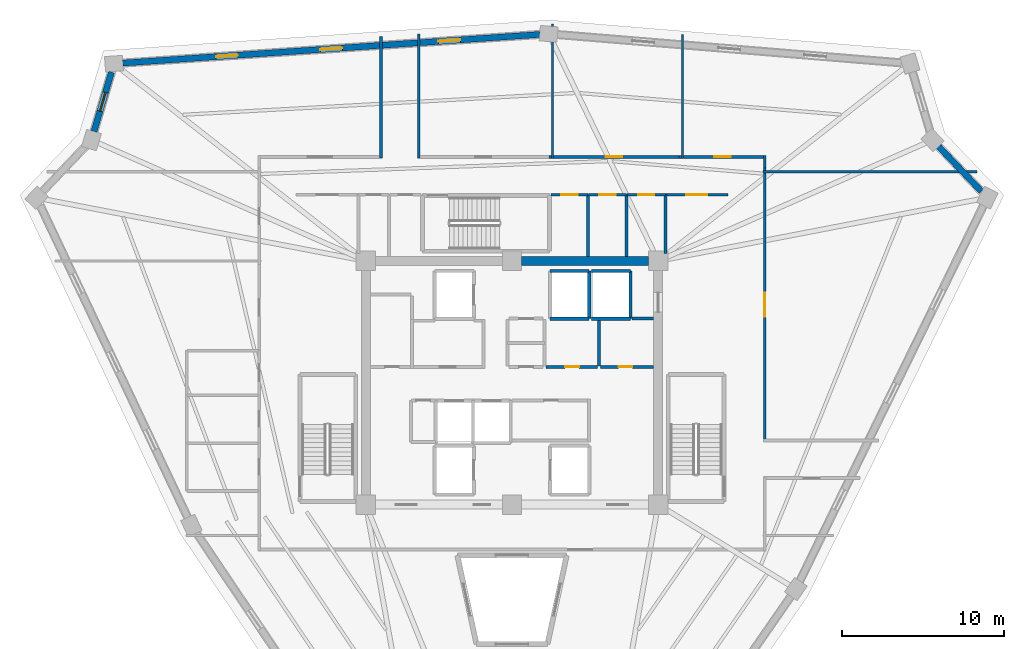
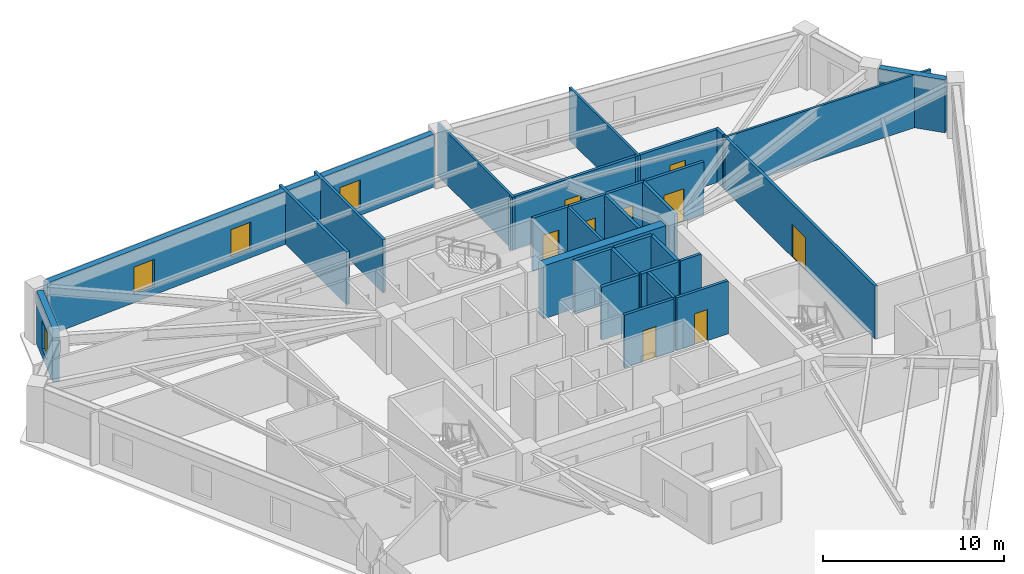
# One storey, part 6 of 8: 30 walls, 9 doors, 4 windows, 13 openings.
"""IFC4 building model written with IfcOpenShell, lengths in metres."""

from ifc_helpers import new_model, si_unit, direction, frame, frame_2d, origin, place, context, subcontext, project, spatial, rectangle, extrude, source, transform, mapped, material, layer, layer_set, type_object, element, fill, save


model = new_model("IFC4")

# Units and contexts
model_context = context("Model", 3, precision=1e-05, world=origin(), true_north=direction((0.0, 1.0)))
body_context = subcontext(model_context, "Body", "Model", "MODEL_VIEW")
ifc_project = project(units=[si_unit("LENGTHUNIT", "METRE"), si_unit("AREAUNIT", "SQUARE_METRE"), si_unit("VOLUMEUNIT", "CUBIC_METRE"), si_unit("PLANEANGLEUNIT", "RADIAN"), si_unit("MASSUNIT", "GRAM", prefix="KILO")], contexts=[model_context])

# Site, building, storey
site_placement = place(None, origin())
site = spatial("IfcSite", under=ifc_project, at=site_placement, CompositionType="ELEMENT")
building_placement = place(site_placement, origin())
building = spatial("IfcBuilding", under=site, at=building_placement, Name="Liaohun Quay Tower", CompositionType="ELEMENT")
storey_placement = place(building_placement, frame((0.0, 0.0, 332.25)))
storey = spatial("IfcBuildingStorey", under=building, at=storey_placement, Name="L86", CompositionType="ELEMENT", Elevation=332.25)

# Walls
ifc_material_1 = material(Name="Concrete C50", Category="concrete")
ifc_layer_1 = layer(ifc_material_1, 0.550048828125, Name="Concrete C50", Category="concrete")
ifc_layer_set_1 = layer_set([ifc_layer_1], Name="Concrete C50")
wall_type_1 = type_object("IfcWallType", Name="WAL-COR-Z4", PredefinedType="SHEAR", material=ifc_layer_set_1)
wall_1_placement = place(storey_placement, frame((60.60009765625, 61.5, 0.0), z_axis=(0.0, 0.0, 1.0), x_axis=(1.0, 0.0, 0.0)))
element("IfcWall", 1, at=wall_1_placement, inside=storey, type_object=wall_type_1, Name="L86 Central Core Shear Wall N-E", PredefinedType="SHEAR", context=body_context, shape_type="SweptSolid", body=[
    extrude(rectangle(XDim=7.7998046875, YDim=0.550048828125, at=frame_2d((3.89990234375, 0.0))), origin(), (0.0, 0.0, 1.0), 3.570068359375),
])
ifc_material_2 = material(Name="Precast concrete C50 insulated sandwich", Category="concrete")
ifc_layer_2 = layer(ifc_material_2, 0.3798828125, Name="Precast concrete C50 insulated sandwich", Category="concrete")
ifc_layer_set_2 = layer_set([ifc_layer_2], Name="Precast concrete C50 insulated sandwich")
wall_type_2 = type_object("IfcWallType", Name="WAL-EXT-Z34", PredefinedType="SOLIDWALL", material=ifc_layer_set_2)
wall_2_placement = place(storey_placement, frame((88.89599609375, 65.7900390625, 0.0), z_axis=(0.0, 0.0, 1.0), x_axis=(-0.689375804196, 0.724403893273, 0.0)))
element("IfcWall", 2, at=wall_2_placement, inside=storey, type_object=wall_type_2, Name="L86 Brutalist Precast Pier Wall 04", PredefinedType="SOLIDWALL", context=body_context, shape_type="SweptSolid", body=[
    extrude(rectangle(XDim=3.819580078125, YDim=0.3798828125, at=frame_2d((1.90966796875, 0.0))), origin(), (0.0, 0.0, 1.0), 3.570068359375),
])

# Wall, openings, windows
wall_3_placement = place(storey_placement, frame((61.718994140625, 75.447998046875, 0.0), z_axis=(0.0, 0.0, 1.0), x_axis=(-0.997650373025, -0.068510825445, 0.0)))
wall_3 = element("IfcWall", 3, at=wall_3_placement, inside=storey, type_object=wall_type_2, Name="L86 Brutalist Precast Pier Wall 07", PredefinedType="SOLIDWALL", context=body_context, shape_type="SweptSolid", body=[
    extrude(rectangle(XDim=25.74658203125, YDim=0.3798828125, at=frame_2d((12.873291015625, 0.0))), origin(), (0.0, 0.0, 1.0), 3.570068359375),
])
shared_shape_1 = source(origin(), body_context, "Body", "SweptSolid", [
    extrude(rectangle(XDim=1.35009765625, YDim=1.85009765625, at=frame_2d((0.675048828125, 0.925048828125))), frame((0.0, 0.199951171875, 0.0), z_axis=(0.0, -1.0, 0.0), x_axis=(1.0, 0.0, 0.0)), (0.0, 0.0, 1.0), 0.39990234375),
])
opening_1_placement = place(wall_3_placement, frame((4.912109375, 0.0, 0.550048828125)))
opening_1 = element("IfcOpeningElement", 4, at=opening_1_placement, cuts=wall_3, Name="Opening W04", PredefinedType="OPENING", context=body_context, shape_type="MappedRepresentation", body=[
    mapped(shared_shape_1, transform((0.0, 0.0, 0.0), x_axis=(1.0, 0.0, 0.0), y_axis=(0.0, 1.0, 0.0), z_axis=(0.0, 0.0, 1.0), scale=1.0)),
])
opening_2_placement = place(wall_3_placement, frame((12.197998046875, 0.0, 0.550048828125)))
opening_2 = element("IfcOpeningElement", 5, at=opening_2_placement, cuts=wall_3, Name="Opening W04", PredefinedType="OPENING", context=body_context, shape_type="MappedRepresentation", body=[
    mapped(shared_shape_1, transform((0.0, 0.0, 0.0), x_axis=(1.0, 0.0, 0.0), y_axis=(0.0, 1.0, 0.0), z_axis=(0.0, 0.0, 1.0), scale=1.0)),
])
opening_3_placement = place(wall_3_placement, frame((18.635009765625, 0.0, 0.550048828125)))
opening_3 = element("IfcOpeningElement", 6, at=opening_3_placement, cuts=wall_3, Name="Opening W04", PredefinedType="OPENING", context=body_context, shape_type="MappedRepresentation", body=[
    mapped(shared_shape_1, transform((0.0, 0.0, 0.0), x_axis=(1.0, 0.0, 0.0), y_axis=(0.0, 1.0, 0.0), z_axis=(0.0, 0.0, 1.0), scale=1.0)),
])
ifc_material_3 = material(Name="Triple Low-E argon glazing in thermally broken aluminium", Category="aluminium")
window_type_1 = type_object("IfcWindowType", Name="WIN-PUN-Z4", PartitioningType="SINGLE_PANEL", PredefinedType="WINDOW", material=ifc_material_3)
shared_shape_2 = source(origin(), body_context, "Body", "SweptSolid", [
    extrude(rectangle(XDim=1.35009765625, YDim=1.85009765625, at=frame_2d((0.675048828125, 0.925048828125))), frame((0.0, 0.030029296875, 0.0), z_axis=(0.0, -1.0, 0.0), x_axis=(1.0, 0.0, 0.0)), (0.0, 0.0, 1.0), 0.06005859375),
])
window_1_placement = place(opening_1_placement, origin())
window_1 = element("IfcWindow", 7, at=window_1_placement, inside=storey, type_object=window_type_1, Name="L86 Recessed Cold-Climate Punched Window 07-1", OverallHeight=1.85009765625, OverallWidth=1.35009765625, PartitioningType="SINGLE_PANEL", PredefinedType="WINDOW", context=body_context, shape_type="MappedRepresentation", body=[
    mapped(shared_shape_2, transform((0.0, 0.0, 0.0), x_axis=(1.0, 0.0, 0.0), y_axis=(0.0, 1.0, 0.0), z_axis=(0.0, 0.0, 1.0), scale=1.0)),
])
fill(opening_1, window_1)
window_2_placement = place(opening_2_placement, origin())
window_2 = element("IfcWindow", 8, at=window_2_placement, inside=storey, type_object=window_type_1, Name="L86 Recessed Cold-Climate Punched Window 07-2", OverallHeight=1.85009765625, OverallWidth=1.35009765625, PartitioningType="SINGLE_PANEL", PredefinedType="WINDOW", context=body_context, shape_type="MappedRepresentation", body=[
    mapped(shared_shape_2, transform((0.0, 0.0, 0.0), x_axis=(1.0, 0.0, 0.0), y_axis=(0.0, 1.0, 0.0), z_axis=(0.0, 0.0, 1.0), scale=1.0)),
])
fill(opening_2, window_2)
window_3_placement = place(opening_3_placement, origin())
window_3 = element("IfcWindow", 9, at=window_3_placement, inside=storey, type_object=window_type_1, Name="L86 Recessed Cold-Climate Punched Window 07-3", OverallHeight=1.85009765625, OverallWidth=1.35009765625, PartitioningType="SINGLE_PANEL", PredefinedType="WINDOW", context=body_context, shape_type="MappedRepresentation", body=[
    mapped(shared_shape_2, transform((0.0, 0.0, 0.0), x_axis=(1.0, 0.0, 0.0), y_axis=(0.0, 1.0, 0.0), z_axis=(0.0, 0.0, 1.0), scale=1.0)),
])
fill(opening_3, window_3)

# Wall, opening, window
wall_4_placement = place(storey_placement, frame((35.341064453125, 73.12890625, 0.0), z_axis=(0.0, 0.0, 1.0), x_axis=(-0.282598986048, -0.959238142009, 0.0)))
wall_4 = element("IfcWall", 10, at=wall_4_placement, inside=storey, type_object=wall_type_2, Name="L86 Brutalist Precast Pier Wall 08", PredefinedType="SOLIDWALL", context=body_context, shape_type="SweptSolid", body=[
    extrude(rectangle(XDim=3.818603515625, YDim=0.3798828125, at=frame_2d((1.9091796875, 0.0))), origin(), (0.0, 0.0, 1.0), 3.570068359375),
])
shared_shape_3 = source(origin(), body_context, "Body", "SweptSolid", [
    extrude(rectangle(XDim=1.199951171875, YDim=1.89990234375, at=frame_2d((0.60009765625, 0.949951171875))), frame((0.0, 0.199951171875, 0.0), z_axis=(0.0, -1.0, 0.0), x_axis=(1.0, 0.0, 0.0)), (0.0, 0.0, 1.0), 0.39990234375),
])
opening_4_placement = place(wall_4_placement, frame((1.30908203125, 0.0, 0.550048828125)))
opening_4 = element("IfcOpeningElement", 11, at=opening_4_placement, cuts=wall_4, Name="Opening W05", PredefinedType="OPENING", context=body_context, shape_type="MappedRepresentation", body=[
    mapped(shared_shape_3, transform((0.0, 0.0, 0.0), x_axis=(1.0, 0.0, 0.0), y_axis=(0.0, 1.0, 0.0), z_axis=(0.0, 0.0, 1.0), scale=1.0)),
])
ifc_material_4 = material(Name="Triple Low-E corner notch glazing", Category="glass")
window_type_2 = type_object("IfcWindowType", Name="WIN-NOTCH", PartitioningType="SINGLE_PANEL", PredefinedType="WINDOW", material=ifc_material_4)
shared_shape_4 = source(origin(), body_context, "Body", "SweptSolid", [
    extrude(rectangle(XDim=1.199951171875, YDim=1.89990234375, at=frame_2d((0.60009765625, 0.949951171875))), frame((0.0, 0.030029296875, 0.0), z_axis=(0.0, -1.0, 0.0), x_axis=(1.0, 0.0, 0.0)), (0.0, 0.0, 1.0), 0.06005859375),
])
window_4_placement = place(opening_4_placement, origin())
window_4 = element("IfcWindow", 12, at=window_4_placement, inside=storey, type_object=window_type_2, Name="L86 Corner Notch Window W05-08", OverallHeight=1.89990234375, OverallWidth=1.199951171875, PartitioningType="SINGLE_PANEL", PredefinedType="WINDOW", context=body_context, shape_type="MappedRepresentation", body=[
    mapped(shared_shape_4, transform((0.0, 0.0, 0.0), x_axis=(1.0, 0.0, 0.0), y_axis=(0.0, 1.0, 0.0), z_axis=(0.0, 0.0, 1.0), scale=1.0)),
])
fill(opening_4, window_4)

# Wall, opening, door
ifc_material_5 = material(Name="Autoclaved aerated concrete blockwork", Category="masonry")
ifc_layer_3 = layer(ifc_material_5, 0.179931640625, Name="Autoclaved aerated concrete blockwork", Category="masonry")
ifc_layer_set_3 = layer_set([ifc_layer_3], Name="Autoclaved aerated concrete blockwork")
wall_type_3 = type_object("IfcWallType", Name="WAL-PRT-COR", PredefinedType="PARTITIONING", material=ifc_layer_set_3)
wall_5_placement = place(storey_placement, frame((62.10009765625, 54.97998046875, 0.0), z_axis=(0.0, 0.0, 1.0), x_axis=(1.0, 0.0, 0.0)))
wall_5 = element("IfcWall", 13, at=wall_5_placement, inside=storey, type_object=wall_type_3, Name="L86 Interior Partition Wall 004", PredefinedType="PARTITIONING", context=body_context, shape_type="SweptSolid", body=[
    extrude(rectangle(XDim=3.159912109375, YDim=0.179931640625, at=frame_2d((1.580078125, 0.0))), origin(), (0.0, 0.0, 1.0), 3.570068359375),
])
shared_shape_5 = source(origin(), body_context, "Body", "SweptSolid", [
    extrude(rectangle(XDim=0.85009765625, YDim=2.10009765625, at=frame_2d((0.425048828125, 1.050048828125))), frame((0.0, 0.099853515625, 0.0), z_axis=(0.0, -1.0, 0.0), x_axis=(1.0, 0.0, 0.0)), (0.0, 0.0, 1.0), 0.199951171875),
])
opening_5_placement = place(wall_5_placement, frame((1.175048828125, 0.0, 0.0)))
opening_5 = element("IfcOpeningElement", 14, at=opening_5_placement, cuts=wall_5, Name="Opening AD1", PredefinedType="OPENING", context=body_context, shape_type="MappedRepresentation", body=[
    mapped(shared_shape_5, transform((0.0, 0.0, 0.0), x_axis=(1.0, 0.0, 0.0), y_axis=(0.0, 1.0, 0.0), z_axis=(0.0, 0.0, 1.0), scale=1.0)),
])
ifc_material_6 = material(Name="Steel riser inspection fire door", Category="steel")
door_type_1 = type_object("IfcDoorType", Name="DOR-SHF-850", OperationType="NOTDEFINED", PredefinedType="DOOR", material=ifc_material_6)
shared_shape_6 = source(origin(), body_context, "Body", "SweptSolid", [
    extrude(rectangle(XDim=0.85009765625, YDim=2.10009765625, at=frame_2d((0.425048828125, 1.050048828125))), frame((0.0, 0.02490234375, 0.0), z_axis=(0.0, -1.0, 0.0), x_axis=(1.0, 0.0, 0.0)), (0.0, 0.0, 1.0), 0.050048828125),
])
door_1_placement = place(opening_5_placement, origin())
door_1 = element("IfcDoor", 15, at=door_1_placement, inside=storey, type_object=door_type_1, Name="L86 Core Facilities Store Door", OperationType="SINGLE_SWING_LEFT", OverallHeight=2.10009765625, OverallWidth=0.85009765625, PredefinedType="DOOR", context=body_context, shape_type="MappedRepresentation", body=[
    mapped(shared_shape_6, transform((0.0, 0.0, 0.0), x_axis=(1.0, 0.0, 0.0), y_axis=(0.0, 1.0, 0.0), z_axis=(0.0, 0.0, 1.0), scale=1.0)),
])
fill(opening_5, door_1)

wall_6_placement = place(storey_placement, frame((65.43994140625, 54.97998046875, 0.0), z_axis=(0.0, 0.0, 1.0), x_axis=(1.0, 0.0, 0.0)))
wall_6 = element("IfcWall", 16, at=wall_6_placement, inside=storey, type_object=wall_type_3, Name="L86 Interior Partition Wall 005", PredefinedType="PARTITIONING", context=body_context, shape_type="SweptSolid", body=[
    extrude(rectangle(XDim=3.28515625, YDim=0.179931640625, at=frame_2d((1.642578125, 0.0))), origin(), (0.0, 0.0, 1.0), 3.570068359375),
])
opening_6_placement = place(wall_6_placement, frame((1.1201171875, 0.0, 0.0)))
opening_6 = element("IfcOpeningElement", 17, at=opening_6_placement, cuts=wall_6, Name="Opening AD1", PredefinedType="OPENING", context=body_context, shape_type="MappedRepresentation", body=[
    mapped(shared_shape_5, transform((0.0, 0.0, 0.0), x_axis=(1.0, 0.0, 0.0), y_axis=(0.0, 1.0, 0.0), z_axis=(0.0, 0.0, 1.0), scale=1.0)),
])
door_2_placement = place(opening_6_placement, origin())
door_2 = element("IfcDoor", 18, at=door_2_placement, inside=storey, type_object=door_type_1, Name="L86 Core Comms Equipment Room Door", OperationType="SINGLE_SWING_RIGHT", OverallHeight=2.10009765625, OverallWidth=0.85009765625, PredefinedType="DOOR", context=body_context, shape_type="MappedRepresentation", body=[
    mapped(shared_shape_6, transform((0.0, 0.0, 0.0), x_axis=(1.0, 0.0, 0.0), y_axis=(0.0, 1.0, 0.0), z_axis=(0.0, 0.0, 1.0), scale=1.0)),
])
fill(opening_6, door_2)

wall_7_placement = place(storey_placement, frame((62.389892578125, 65.580078125, 0.0), z_axis=(0.0, 0.0, 1.0), x_axis=(1.0, 0.0, 0.0)))
wall_7 = element("IfcWall", 19, at=wall_7_placement, inside=storey, type_object=wall_type_3, Name="L86 Interior Partition Wall 014", PredefinedType="PARTITIONING", context=body_context, shape_type="SweptSolid", body=[
    extrude(rectangle(XDim=2.2900390625, YDim=0.179931640625, at=frame_2d((1.14501953125, 0.0))), origin(), (0.0, 0.0, 1.0), 3.570068359375),
])
shared_shape_7 = source(origin(), body_context, "Body", "SweptSolid", [
    extrude(rectangle(XDim=1.0, YDim=2.199951171875, at=frame_2d((0.5, 1.10009765625))), frame((0.0, 0.099853515625, 0.0), z_axis=(0.0, -1.0, 0.0), x_axis=(1.0, 0.0, 0.0)), (0.0, 0.0, 1.0), 0.199951171875),
])
opening_7_placement = place(wall_7_placement, frame((0.64501953125, 0.0, 0.0)))
opening_7 = element("IfcOpeningElement", 20, at=opening_7_placement, cuts=wall_7, Name="Opening OD1", PredefinedType="OPENING", context=body_context, shape_type="MappedRepresentation", body=[
    mapped(shared_shape_7, transform((0.0, 0.0, 0.0), x_axis=(1.0, 0.0, 0.0), y_axis=(0.0, 1.0, 0.0), z_axis=(0.0, 0.0, 1.0), scale=1.0)),
])
ifc_material_7 = material(Name="Solid-core oak veneer timber leaf in steel frame", Category="steel")
door_type_2 = type_object("IfcDoorType", Name="DOR-OFF-1000", OperationType="NOTDEFINED", PredefinedType="DOOR", material=ifc_material_7)
shared_shape_8 = source(origin(), body_context, "Body", "SweptSolid", [
    extrude(rectangle(XDim=1.0, YDim=2.199951171875, at=frame_2d((0.5, 1.10009765625))), frame((0.0, 0.02490234375, 0.0), z_axis=(0.0, -1.0, 0.0), x_axis=(1.0, 0.0, 0.0)), (0.0, 0.0, 1.0), 0.050048828125),
])
door_3_placement = place(opening_7_placement, origin())
door_3 = element("IfcDoor", 21, at=door_3_placement, inside=storey, type_object=door_type_2, Name="L86 North-East Mail Store Door", OperationType="SINGLE_SWING_LEFT", OverallHeight=2.199951171875, OverallWidth=1.0, PredefinedType="DOOR", context=body_context, shape_type="MappedRepresentation", body=[
    mapped(shared_shape_8, transform((0.0, 0.0, 0.0), x_axis=(1.0, 0.0, 0.0), y_axis=(0.0, 1.0, 0.0), z_axis=(0.0, 0.0, 1.0), scale=1.0)),
])
fill(opening_7, door_3)

wall_8_placement = place(storey_placement, frame((64.719970703125, 65.580078125, 0.0), z_axis=(0.0, 0.0, 1.0), x_axis=(1.0, 0.0, 0.0)))
wall_8 = element("IfcWall", 22, at=wall_8_placement, inside=storey, type_object=wall_type_3, Name="L86 Interior Partition Wall 015", PredefinedType="PARTITIONING", context=body_context, shape_type="SweptSolid", body=[
    extrude(rectangle(XDim=2.320068359375, YDim=0.179931640625, at=frame_2d((1.16015625, 0.0))), origin(), (0.0, 0.0, 1.0), 3.570068359375),
])
opening_8_placement = place(wall_8_placement, frame((0.659912109375, 0.0, 0.0)))
opening_8 = element("IfcOpeningElement", 23, at=opening_8_placement, cuts=wall_8, Name="Opening OD1", PredefinedType="OPENING", context=body_context, shape_type="MappedRepresentation", body=[
    mapped(shared_shape_7, transform((0.0, 0.0, 0.0), x_axis=(1.0, 0.0, 0.0), y_axis=(0.0, 1.0, 0.0), z_axis=(0.0, 0.0, 1.0), scale=1.0)),
])
door_4_placement = place(opening_8_placement, origin())
door_4 = element("IfcDoor", 24, at=door_4_placement, inside=storey, type_object=door_type_2, Name="L86 North-East Comms Room Door", OperationType="SINGLE_SWING_RIGHT", OverallHeight=2.199951171875, OverallWidth=1.0, PredefinedType="DOOR", context=body_context, shape_type="MappedRepresentation", body=[
    mapped(shared_shape_8, transform((0.0, 0.0, 0.0), x_axis=(1.0, 0.0, 0.0), y_axis=(0.0, 1.0, 0.0), z_axis=(0.0, 0.0, 1.0), scale=1.0)),
])
fill(opening_8, door_4)

wall_9_placement = place(storey_placement, frame((67.080078125, 65.580078125, 0.0), z_axis=(0.0, 0.0, 1.0), x_axis=(1.0, 0.0, 0.0)))
wall_9 = element("IfcWall", 25, at=wall_9_placement, inside=storey, type_object=wall_type_3, Name="L86 Interior Partition Wall 016", PredefinedType="PARTITIONING", context=body_context, shape_type="SweptSolid", body=[
    extrude(rectangle(XDim=2.3798828125, YDim=0.179931640625, at=frame_2d((1.18994140625, 0.0))), origin(), (0.0, 0.0, 1.0), 3.570068359375),
])
opening_9_placement = place(wall_9_placement, frame((0.68994140625, 0.0, 0.0)))
opening_9 = element("IfcOpeningElement", 26, at=opening_9_placement, cuts=wall_9, Name="Opening OD1", PredefinedType="OPENING", context=body_context, shape_type="MappedRepresentation", body=[
    mapped(shared_shape_7, transform((0.0, 0.0, 0.0), x_axis=(1.0, 0.0, 0.0), y_axis=(0.0, 1.0, 0.0), z_axis=(0.0, 0.0, 1.0), scale=1.0)),
])
door_5_placement = place(opening_9_placement, origin())
door_5 = element("IfcDoor", 27, at=door_5_placement, inside=storey, type_object=door_type_2, Name="L86 North-East Cleaner Store Door", OperationType="SINGLE_SWING_LEFT", OverallHeight=2.199951171875, OverallWidth=1.0, PredefinedType="DOOR", context=body_context, shape_type="MappedRepresentation", body=[
    mapped(shared_shape_8, transform((0.0, 0.0, 0.0), x_axis=(1.0, 0.0, 0.0), y_axis=(0.0, 1.0, 0.0), z_axis=(0.0, 0.0, 1.0), scale=1.0)),
])
fill(opening_9, door_5)

wall_10_placement = place(storey_placement, frame((69.4599609375, 65.580078125, 0.0), z_axis=(0.0, 0.0, 1.0), x_axis=(1.0, 0.0, 0.0)))
wall_10 = element("IfcWall", 28, at=wall_10_placement, inside=storey, type_object=wall_type_3, Name="L86 Interior Partition Wall 018", PredefinedType="PARTITIONING", context=body_context, shape_type="SweptSolid", body=[
    extrude(rectangle(XDim=3.840087890625, YDim=0.179931640625, at=frame_2d((1.919921875, 0.0))), origin(), (0.0, 0.0, 1.0), 3.570068359375),
])
shared_shape_9 = source(origin(), body_context, "Body", "SweptSolid", [
    extrude(rectangle(XDim=1.300048828125, YDim=2.199951171875, at=frame_2d((0.64990234375, 1.10009765625))), frame((0.0, 0.099853515625, 0.0), z_axis=(0.0, -1.0, 0.0), x_axis=(1.0, 0.0, 0.0)), (0.0, 0.0, 1.0), 0.199951171875),
])
opening_10_placement = place(wall_10_placement, frame((1.27001953125, 0.0, 0.0)))
opening_10 = element("IfcOpeningElement", 29, at=opening_10_placement, cuts=wall_10, Name="Opening FD1", PredefinedType="OPENING", context=body_context, shape_type="MappedRepresentation", body=[
    mapped(shared_shape_9, transform((0.0, 0.0, 0.0), x_axis=(1.0, 0.0, 0.0), y_axis=(0.0, 1.0, 0.0), z_axis=(0.0, 0.0, 1.0), scale=1.0)),
])
ifc_material_8 = material(Name="Galvanised steel smokeproof fire door", Category="steel")
door_type_3 = type_object("IfcDoorType", Name="DOR-FFL-1300", OperationType="NOTDEFINED", PredefinedType="DOOR", material=ifc_material_8)
shared_shape_10 = source(origin(), body_context, "Body", "SweptSolid", [
    extrude(rectangle(XDim=1.300048828125, YDim=2.199951171875, at=frame_2d((0.64990234375, 1.10009765625))), frame((0.0, 0.02490234375, 0.0), z_axis=(0.0, -1.0, 0.0), x_axis=(1.0, 0.0, 0.0)), (0.0, 0.0, 1.0), 0.050048828125),
])
door_6_placement = place(opening_10_placement, origin())
door_6 = element("IfcDoor", 30, at=door_6_placement, inside=storey, type_object=door_type_3, Name="L86 East Core Vestibule Door", OperationType="SINGLE_SWING_LEFT", OverallHeight=2.199951171875, OverallWidth=1.300048828125, PredefinedType="DOOR", context=body_context, shape_type="MappedRepresentation", body=[
    mapped(shared_shape_10, transform((0.0, 0.0, 0.0), x_axis=(1.0, 0.0, 0.0), y_axis=(0.0, 1.0, 0.0), z_axis=(0.0, 0.0, 1.0), scale=1.0)),
])
fill(opening_10, door_6)

wall_11_placement = place(storey_placement, frame((75.56005859375, 67.215087890625, 0.0), z_axis=(0.0, 0.0, 1.0), x_axis=(0.0, -1.0, 0.0)))
wall_11 = element("IfcWall", 31, at=wall_11_placement, inside=storey, type_object=wall_type_3, Name="L86 Interior Partition Wall 019", PredefinedType="PARTITIONING", context=body_context, shape_type="SweptSolid", body=[
    extrude(rectangle(XDim=16.8251953125, YDim=0.179931640625, at=frame_2d((8.41259765625, 0.0))), origin(), (0.0, 0.0, 1.0), 3.570068359375),
])
shared_shape_11 = source(origin(), body_context, "Body", "SweptSolid", [
    extrude(rectangle(XDim=1.5, YDim=2.199951171875, at=frame_2d((0.75, 1.10009765625))), frame((0.0, 0.099853515625, 0.0), z_axis=(0.0, -1.0, 0.0), x_axis=(1.0, 0.0, 0.0)), (0.0, 0.0, 1.0), 0.199951171875),
])
opening_11_placement = place(wall_11_placement, frame((7.6630859375, 0.0, 0.0)))
opening_11 = element("IfcOpeningElement", 32, at=opening_11_placement, cuts=wall_11, Name="Opening OD2", PredefinedType="OPENING", context=body_context, shape_type="MappedRepresentation", body=[
    mapped(shared_shape_11, transform((0.0, 0.0, 0.0), x_axis=(1.0, 0.0, 0.0), y_axis=(0.0, 1.0, 0.0), z_axis=(0.0, 0.0, 1.0), scale=1.0)),
])
ifc_material_9 = material(Name="Acoustic oak veneer double door")
door_type_4 = type_object("IfcDoorType", Name="DOR-OFF-1500", OperationType="DOUBLE_DOOR_SINGLE_SWING", PredefinedType="DOOR", material=ifc_material_9)
shared_shape_12 = source(origin(), body_context, "Body", "SweptSolid", [
    extrude(rectangle(XDim=1.5, YDim=2.199951171875, at=frame_2d((0.75, 1.10009765625))), frame((0.0, 0.02490234375, 0.0), z_axis=(0.0, -1.0, 0.0), x_axis=(1.0, 0.0, 0.0)), (0.0, 0.0, 1.0), 0.050048828125),
])
door_7_placement = place(opening_11_placement, origin())
door_7 = element("IfcDoor", 33, at=door_7_placement, inside=storey, type_object=door_type_4, Name="L86 Occupational Wellness Clinic 01 Door", OperationType="DOUBLE_DOOR_SINGLE_SWING", OverallHeight=2.199951171875, OverallWidth=1.5, PredefinedType="DOOR", context=body_context, shape_type="MappedRepresentation", body=[
    mapped(shared_shape_12, transform((0.0, 0.0, 0.0), x_axis=(1.0, 0.0, 0.0), y_axis=(0.0, 1.0, 0.0), z_axis=(0.0, 0.0, 1.0), scale=1.0)),
])
fill(opening_11, door_7)

wall_12_placement = place(storey_placement, frame((70.284912109375, 67.909912109375, 0.0), z_axis=(0.0, 0.0, 1.0), x_axis=(1.0, 0.0, 0.0)))
wall_12 = element("IfcWall", 34, at=wall_12_placement, inside=storey, type_object=wall_type_3, Name="L86 Interior Partition Wall 020", PredefinedType="PARTITIONING", context=body_context, shape_type="SweptSolid", body=[
    extrude(rectangle(XDim=5.344970703125, YDim=0.179931640625, at=frame_2d((2.67236328125, 0.0))), origin(), (0.0, 0.0, 1.0), 3.570068359375),
])
opening_12_placement = place(wall_12_placement, frame((2.172119140625, 0.0, 0.0)))
opening_12 = element("IfcOpeningElement", 35, at=opening_12_placement, cuts=wall_12, Name="Opening OD1", PredefinedType="OPENING", context=body_context, shape_type="MappedRepresentation", body=[
    mapped(shared_shape_7, transform((0.0, 0.0, 0.0), x_axis=(1.0, 0.0, 0.0), y_axis=(0.0, 1.0, 0.0), z_axis=(0.0, 0.0, 1.0), scale=1.0)),
])
door_8_placement = place(opening_12_placement, origin())
door_8 = element("IfcDoor", 36, at=door_8_placement, inside=storey, type_object=door_type_2, Name="L86 Corporate Exhibition Gallery 02 Door", OperationType="SINGLE_SWING_LEFT", OverallHeight=2.199951171875, OverallWidth=1.0, PredefinedType="DOOR", context=body_context, shape_type="MappedRepresentation", body=[
    mapped(shared_shape_8, transform((0.0, 0.0, 0.0), x_axis=(1.0, 0.0, 0.0), y_axis=(0.0, 1.0, 0.0), z_axis=(0.0, 0.0, 1.0), scale=1.0)),
])
fill(opening_12, door_8)

wall_13_placement = place(storey_placement, frame((62.284912109375, 67.909912109375, 0.0), z_axis=(0.0, 0.0, 1.0), x_axis=(1.0, 0.0, 0.0)))
wall_13 = element("IfcWall", 37, at=wall_13_placement, inside=storey, type_object=wall_type_3, Name="L86 Interior Partition Wall 021", PredefinedType="PARTITIONING", context=body_context, shape_type="SweptSolid", body=[
    extrude(rectangle(XDim=8.0, YDim=0.179931640625, at=frame_2d((4.0, 0.0))), origin(), (0.0, 0.0, 1.0), 3.570068359375),
])
opening_13_placement = place(wall_13_placement, frame((3.5, 0.0, 0.0)))
opening_13 = element("IfcOpeningElement", 38, at=opening_13_placement, cuts=wall_13, Name="Opening OD1", PredefinedType="OPENING", context=body_context, shape_type="MappedRepresentation", body=[
    mapped(shared_shape_7, transform((0.0, 0.0, 0.0), x_axis=(1.0, 0.0, 0.0), y_axis=(0.0, 1.0, 0.0), z_axis=(0.0, 0.0, 1.0), scale=1.0)),
])
door_9_placement = place(opening_13_placement, origin())
door_9 = element("IfcDoor", 39, at=door_9_placement, inside=storey, type_object=door_type_2, Name="L86 Occupational Wellness Clinic 03 Door", OperationType="SINGLE_SWING_RIGHT", OverallHeight=2.199951171875, OverallWidth=1.0, PredefinedType="DOOR", context=body_context, shape_type="MappedRepresentation", body=[
    mapped(shared_shape_8, transform((0.0, 0.0, 0.0), x_axis=(1.0, 0.0, 0.0), y_axis=(0.0, 1.0, 0.0), z_axis=(0.0, 0.0, 1.0), scale=1.0)),
])
fill(opening_13, door_9)

# Walls
wall_14_placement = place(storey_placement, frame((65.35009765625, 55.02001953125, 0.0), z_axis=(0.0, 0.0, 1.0), x_axis=(0.0, 1.0, 0.0)))
element("IfcWall", 40, at=wall_14_placement, inside=storey, type_object=wall_type_3, Name="L86 Interior Partition Wall 029", PredefinedType="PARTITIONING", context=body_context, shape_type="SweptSolid", body=[
    extrude(rectangle(XDim=2.85986328125, YDim=0.179931640625, at=frame_2d((1.429931640625, 0.0))), origin(), (0.0, 0.0, 1.0), 3.570068359375),
])
for number, where, z_axis, x_axis, name in (
    (41, (64.679931640625, 61.77490234375, 0.0), (0.0, 0.0, 1.0), (0.0, 1.0, 0.0), "L86 Interior Partition Wall 042"),
    (42, (67.0400390625, 61.77490234375, 0.0), (0.0, 0.0, 1.0), (0.0, 1.0, 0.0), "L86 Interior Partition Wall 043"),
):
    element("IfcWall", number, at=place(storey_placement, frame(where, z_axis=z_axis, x_axis=x_axis)), inside=storey, type_object=wall_type_3, Name=name, PredefinedType="PARTITIONING", context=body_context, shape_type="SweptSolid", body=[
        extrude(rectangle(XDim=3.80517578125, YDim=0.179931640625, at=frame_2d((1.902587890625, 0.0))), origin(), (0.0, 0.0, 1.0), 3.570068359375),
    ])
wall_15_placement = place(storey_placement, frame((69.4599609375, 61.949951171875, 0.0), z_axis=(0.0, 0.0, 1.0), x_axis=(0.0, 1.0, 0.0)))
element("IfcWall", 43, at=wall_15_placement, inside=storey, type_object=wall_type_3, Name="L86 Interior Partition Wall 044", PredefinedType="PARTITIONING", context=body_context, shape_type="SweptSolid", body=[
    extrude(rectangle(XDim=3.630126953125, YDim=0.179931640625, at=frame_2d((1.81494140625, 0.0))), origin(), (0.0, 0.0, 1.0), 3.570068359375),
])
wall_16_placement = place(storey_placement, frame((75.56005859375, 67.97998046875, 0.0), z_axis=(0.0, 0.0, 1.0), x_axis=(0.0, -1.0, 0.0)))
element("IfcWall", 44, at=wall_16_placement, inside=storey, type_object=wall_type_3, Name="L86 Interior Partition Wall 046", PredefinedType="PARTITIONING", context=body_context, shape_type="SweptSolid", body=[
    extrude(rectangle(XDim=0.764892578125, YDim=0.179931640625, at=frame_2d((0.38232421875, 0.0))), origin(), (0.0, 0.0, 1.0), 3.570068359375),
])
wall_17_placement = place(storey_placement, frame((54.260009765625, 75.47607421875, 0.0), z_axis=(0.0, 0.0, 1.0), x_axis=(0.0, -1.0, 0.0)))
element("IfcWall", 45, at=wall_17_placement, inside=storey, type_object=wall_type_3, Name="L86 Interior Partition Wall 047", PredefinedType="PARTITIONING", context=body_context, shape_type="SweptSolid", body=[
    extrude(rectangle(XDim=7.635986328125, YDim=0.179931640625, at=frame_2d((3.81787109375, 0.0))), origin(), (0.0, 0.0, 1.0), 3.570068359375),
])
wall_18_placement = place(storey_placement, frame((51.93994140625, 67.840087890625, 0.0), z_axis=(0.0, 0.0, 1.0), x_axis=(0.0, 1.0, 0.0)))
element("IfcWall", 46, at=wall_18_placement, inside=storey, type_object=wall_type_3, Name="L86 Interior Partition Wall 048", PredefinedType="PARTITIONING", context=body_context, shape_type="SweptSolid", body=[
    extrude(rectangle(XDim=7.476806640625, YDim=0.179931640625, at=frame_2d((3.73828125, 0.0))), origin(), (0.0, 0.0, 1.0), 3.570068359375),
])
wall_19_placement = place(storey_placement, frame((67.39990234375, 57.949951171875, 0.0), z_axis=(0.0, 0.0, 1.0), x_axis=(1.0, 0.0, 0.0)))
element("IfcWall", 47, at=wall_19_placement, inside=storey, type_object=wall_type_3, Name="L86 Interior Partition Wall 068", PredefinedType="PARTITIONING", context=body_context, shape_type="SweptSolid", body=[
    extrude(rectangle(XDim=1.3251953125, YDim=0.179931640625, at=frame_2d((0.66259765625, 0.0))), origin(), (0.0, 0.0, 1.0), 3.570068359375),
])
ifc_material_10 = material(Name="Gypsum board on twin steel studs", Category="steel")
ifc_layer_4 = layer(ifc_material_10, 0.139892578125, Name="Gypsum board on twin steel studs", Category="steel")
ifc_layer_set_4 = layer_set([ifc_layer_4], Name="Gypsum board on twin steel studs")
wall_type_4 = type_object("IfcWallType", Name="WAL-PRT-OFF", PredefinedType="PARTITIONING", material=ifc_layer_set_4)
wall_20_placement = place(storey_placement, frame((75.4599609375, 67.0, 0.0), z_axis=(0.0, 0.0, 1.0), x_axis=(1.0, 0.0, 0.0)))
element("IfcWall", 48, at=wall_20_placement, inside=storey, type_object=wall_type_4, Name="L86 Interior Partition Wall 058", PredefinedType="PARTITIONING", context=body_context, shape_type="SweptSolid", body=[
    extrude(rectangle(XDim=13.154052734375, YDim=0.139892578125, at=frame_2d((6.5771484375, 0.0))), origin(), (0.0, 0.0, 1.0), 3.570068359375),
])
wall_21_placement = place(storey_placement, frame((62.5, 67.81005859375, 0.0), z_axis=(0.0, 0.0, 1.0), x_axis=(0.0, 1.0, 0.0)))
element("IfcWall", 49, at=wall_21_placement, inside=storey, type_object=wall_type_4, Name="L86 Interior Partition Wall 059", PredefinedType="PARTITIONING", context=body_context, shape_type="SweptSolid", body=[
    extrude(rectangle(XDim=8.286865234375, YDim=0.139892578125, at=frame_2d((4.1435546875, 0.0))), origin(), (0.0, 0.0, 1.0), 3.570068359375),
])
wall_22_placement = place(storey_placement, frame((70.5, 67.81005859375, 0.0), z_axis=(0.0, 0.0, 1.0), x_axis=(0.0, 1.0, 0.0)))
element("IfcWall", 50, at=wall_22_placement, inside=storey, type_object=wall_type_4, Name="L86 Interior Partition Wall 060", PredefinedType="PARTITIONING", context=body_context, shape_type="SweptSolid", body=[
    extrude(rectangle(XDim=7.62890625, YDim=0.139892578125, at=frame_2d((3.814453125, 0.0))), origin(), (0.0, 0.0, 1.0), 3.570068359375),
])
ifc_layer_5 = layer(ifc_material_1, 0.239990234375, Name="Concrete C50", Category="concrete")
ifc_layer_set_5 = layer_set([ifc_layer_5], Name="Concrete C50")
wall_type_5 = type_object("IfcWallType", Name="WAL-SHF-200", PredefinedType="SOLIDWALL", material=ifc_layer_set_5)
wall_23_placement = place(storey_placement, frame((62.35009765625, 57.949951171875, 0.0), z_axis=(0.0, 0.0, 1.0), x_axis=(1.0, 0.0, 0.0)))
element("IfcWall", 51, at=wall_23_placement, inside=storey, type_object=wall_type_5, Name="L86 Lift OB-01 Hoistway Wall S", PredefinedType="SOLIDWALL", context=body_context, shape_type="SweptSolid", body=[
    extrude(rectangle(XDim=2.39990234375, YDim=0.199951171875, at=frame_2d((1.199951171875, 0.0))), origin(), (0.0, 0.0, 1.0), 3.570068359375),
])
wall_24_placement = place(storey_placement, frame((64.75, 57.949951171875, 0.0), z_axis=(0.0, 0.0, 1.0), x_axis=(0.0, 1.0, 0.0)))
element("IfcWall", 52, at=wall_24_placement, inside=storey, type_object=wall_type_5, Name="L86 Lift OB-01 Hoistway Wall E", PredefinedType="SOLIDWALL", context=body_context, shape_type="SweptSolid", body=[
    extrude(rectangle(XDim=2.929931640625, YDim=0.199951171875, at=frame_2d((1.46484375, 0.0))), origin(), (0.0, 0.0, 1.0), 3.570068359375),
])
wall_25_placement = place(storey_placement, frame((64.75, 60.8798828125, 0.0), z_axis=(0.0, 0.0, 1.0), x_axis=(-1.0, 0.0, 0.0)))
element("IfcWall", 53, at=wall_25_placement, inside=storey, type_object=wall_type_5, Name="L86 Lift OB-01 Hoistway Wall N", PredefinedType="SOLIDWALL", context=body_context, shape_type="SweptSolid", body=[
    extrude(rectangle(XDim=2.39990234375, YDim=0.199951171875, at=frame_2d((1.199951171875, 0.0))), origin(), (0.0, 0.0, 1.0), 3.570068359375),
])
wall_26_placement = place(storey_placement, frame((64.89990234375, 57.949951171875, 0.0), z_axis=(0.0, 0.0, 1.0), x_axis=(1.0, 0.0, 0.0)))
element("IfcWall", 54, at=wall_26_placement, inside=storey, type_object=wall_type_5, Name="L86 Lift OB-02 Hoistway Wall S", PredefinedType="SOLIDWALL", context=body_context, shape_type="SweptSolid", body=[
    extrude(rectangle(XDim=2.400146484375, YDim=0.199951171875, at=frame_2d((1.2001953125, 0.0))), origin(), (0.0, 0.0, 1.0), 3.570068359375),
])
wall_27_placement = place(storey_placement, frame((67.300048828125, 57.949951171875, 0.0), z_axis=(0.0, 0.0, 1.0), x_axis=(0.0, 1.0, 0.0)))
element("IfcWall", 55, at=wall_27_placement, inside=storey, type_object=wall_type_5, Name="L86 Lift OB-02 Hoistway Wall E", PredefinedType="SOLIDWALL", context=body_context, shape_type="SweptSolid", body=[
    extrude(rectangle(XDim=2.929931640625, YDim=0.199951171875, at=frame_2d((1.46484375, 0.0))), origin(), (0.0, 0.0, 1.0), 3.570068359375),
])
wall_28_placement = place(storey_placement, frame((67.300048828125, 60.8798828125, 0.0), z_axis=(0.0, 0.0, 1.0), x_axis=(-1.0, 0.0, 0.0)))
element("IfcWall", 56, at=wall_28_placement, inside=storey, type_object=wall_type_5, Name="L86 Lift OB-02 Hoistway Wall N", PredefinedType="SOLIDWALL", context=body_context, shape_type="SweptSolid", body=[
    extrude(rectangle(XDim=2.400146484375, YDim=0.199951171875, at=frame_2d((1.2001953125, 0.0))), origin(), (0.0, 0.0, 1.0), 3.570068359375),
])

save(model, "model.ifc")
